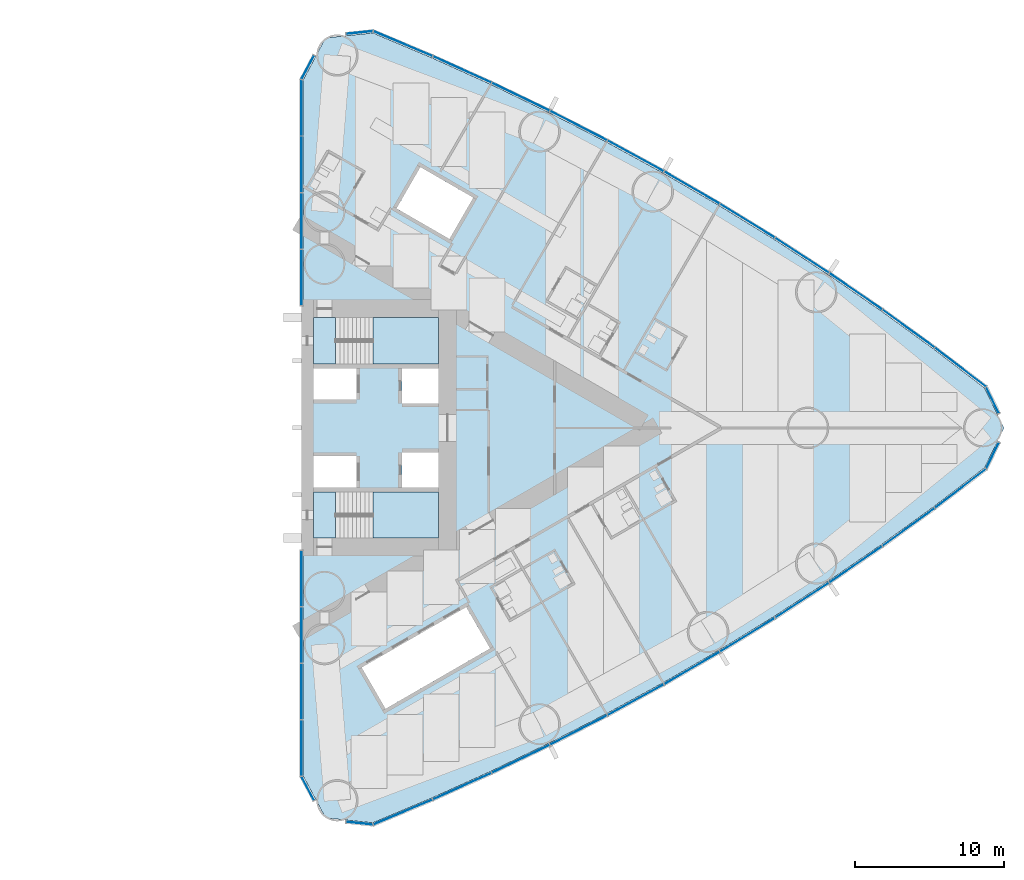
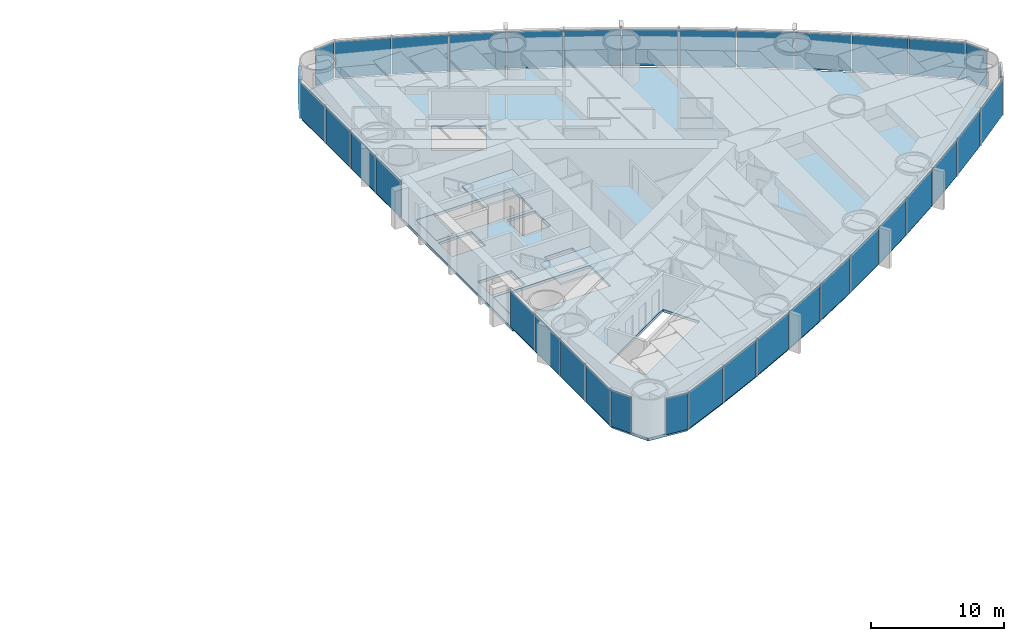
# One storey, part 10 of 19: 36 plates, 5 slabs, 6 elements without a shape of their own.
"""IFC4 building model written with IfcOpenShell, lengths in metres."""

from ifc_helpers import new_model, si_unit, direction, frame, origin, origin_2d, place, context, subcontext, project, spatial, polyline, rectangle, outline, extrude, material, layer, layer_set, type_object, element, aggregate, save


model = new_model("IFC4")

# Units and contexts
model_context = context("Model", 3, precision=1e-05, world=origin(), true_north=direction((0.0, 1.0)))
body_context = subcontext(model_context, "Body", "Model", "MODEL_VIEW")
ifc_project = project(units=[si_unit("LENGTHUNIT", "METRE"), si_unit("AREAUNIT", "SQUARE_METRE"), si_unit("VOLUMEUNIT", "CUBIC_METRE"), si_unit("PLANEANGLEUNIT", "RADIAN"), si_unit("MASSUNIT", "GRAM", prefix="KILO")], contexts=[model_context])

# Site, building, storey
site_placement = place(None, origin())
site = spatial("IfcSite", under=ifc_project, at=site_placement, CompositionType="ELEMENT")
building_placement = place(site_placement, origin())
building = spatial("IfcBuilding", under=site, at=building_placement, Name="Lancet Gate Hotel", CompositionType="ELEMENT")
storey_placement = place(building_placement, frame((0.0, 0.0, 28.5)))
storey = spatial("IfcBuildingStorey", under=building, at=storey_placement, Name="L06", CompositionType="ELEMENT", Elevation=28.5)

# Slab
ifc_material_1 = material(Name="Concrete C50/60", Category="concrete")
ifc_layer_1 = layer(ifc_material_1, 0.25)
ifc_layer_set_1 = layer_set([ifc_layer_1], Name="Floor slab 250")
slab_type_1 = type_object("IfcSlabType", Name="Floor slab 250", PredefinedType="FLOOR", material=ifc_layer_set_1)
slab_1_placement = place(storey_placement, frame((0.0, 0.0, -0.25)))
element("IfcSlab", 1, at=slab_1_placement, inside=storey, type_object=slab_type_1, Name="T2 L06 floor slab", PredefinedType="FLOOR", context=body_context, shape_type="SweptSolid", body=[
    extrude(outline(polyline([(27.5, -8.60009765625), (27.6201171875, -8.60009765625), (27.6201171875, -23.35498046875), (29.12158203125, -26.175537109375), (32.299072265625, -26.5048828125), (36.26708984375, -24.833740234375), (40.2177734375, -23.050048828125), (44.121826171875, -21.16650390625), (47.9765625, -19.18408203125), (51.77978515625, -17.104248046875), (55.528564453125, -14.92822265625), (59.220947265625, -12.657470703125), (62.854248046875, -10.29345703125), (66.42626953125, -7.837890625), (69.934814453125, -5.292236328125), (73.355712890625, -2.67431640625), (74.65576171875, 0.0), (73.355712890625, 2.67431640625), (69.934814453125, 5.292236328125), (66.42626953125, 7.837890625), (62.854248046875, 10.29345703125), (59.220947265625, 12.657470703125), (55.528564453125, 14.92822265625), (51.77978515625, 17.104248046875), (47.9765625, 19.18408203125), (44.121826171875, 21.16650390625), (40.2177734375, 23.050048828125), (36.26708984375, 24.833740234375), (32.299072265625, 26.5048828125), (29.12158203125, 26.175537109375), (27.6201171875, 23.35498046875), (27.6201171875, 8.60009765625), (27.5, 8.60009765625), (27.5, 8.199951171875), (27.5, -8.199951171875), (27.5, -8.60009765625)]), holes=[polyline([(36.699951171875, -7.39990234375), (36.699951171875, -4.300048828125), (28.300048828125, -4.300048828125), (28.300048828125, -7.39990234375), (36.699951171875, -7.39990234375)]), polyline([(28.300048828125, -4.0), (31.199951171875, -4.0), (31.199951171875, -1.89990234375), (28.300048828125, -1.89990234375), (28.300048828125, -4.0)]), polyline([(34.25, -4.0), (36.699951171875, -4.0), (36.699951171875, -1.64990234375), (34.25, -1.64990234375), (34.25, -4.0)]), polyline([(36.699951171875, 1.64990234375), (36.699951171875, 4.0), (34.25, 4.0), (34.25, 1.64990234375), (36.699951171875, 1.64990234375)]), polyline([(28.300048828125, 1.89990234375), (31.199951171875, 1.89990234375), (31.199951171875, 4.0), (28.300048828125, 4.0), (28.300048828125, 1.89990234375)]), polyline([(28.300048828125, 4.300048828125), (36.699951171875, 4.300048828125), (36.699951171875, 7.39990234375), (28.300048828125, 7.39990234375), (28.300048828125, 4.300048828125)]), polyline([(31.549072265625, -16.0810546875), (33.14892578125, -18.85205078125), (40.1640625, -14.802001953125), (38.56396484375, -12.031005859375), (31.549072265625, -16.0810546875)]), polyline([(33.887939453125, 14.73095703125), (37.43798828125, 12.680908203125), (39.0380859375, 15.451904296875), (35.488037109375, 17.501953125), (33.887939453125, 14.73095703125)])]), origin(), (0.0, 0.0, 1.0), 0.25),
])

# Stair, slabs
ifc_material_2 = material(Name="Exit stair 20 risers 1500")
stair_type = type_object("IfcStairType", Name="Exit stair 20 risers 1500", PredefinedType="HALF_TURN_STAIR", material=ifc_material_2)
stair_1_placement = place(storey_placement, origin())
stair_1 = element("IfcStair", 2, at=stair_1_placement, inside=storey, type_object=stair_type, Name="T2 stair 1 L06", PredefinedType="HALF_TURN_STAIR")
ifc_material_3 = material(Name="Concrete C40/50", Category="concrete")
ifc_layer_2 = layer(ifc_material_3, 0.199951171875)
ifc_layer_set_2 = layer_set([ifc_layer_2], Name="Stair landing 200")
slab_type_2 = type_object("IfcSlabType", Name="Stair landing 200", PredefinedType="LANDING", material=ifc_layer_set_2)
slab_2_placement = place(storey_placement, frame((0.0, 0.0, -0.199951171875)))
slab_2 = element("IfcSlab", 3, at=slab_2_placement, type_object=slab_type_2, Name="ST3 landing 1", PredefinedType="LANDING", context=body_context, shape_type="SweptSolid", body=[
    extrude(outline(polyline([(28.300048828125, -7.39990234375), (29.800048828125, -7.39990234375), (29.800048828125, -4.300048828125), (28.300048828125, -4.300048828125), (28.300048828125, -7.39990234375)])), origin(), (0.0, 0.0, 1.0), 0.199951171875),
])
slab_3_placement = place(storey_placement, frame((0.0, 0.0, 1.550048828125)))
slab_3 = element("IfcSlab", 4, at=slab_3_placement, type_object=slab_type_2, Name="ST3 landing 2", PredefinedType="LANDING", context=body_context, shape_type="SweptSolid", body=[
    extrude(outline(polyline([(32.320068359375, -7.39990234375), (36.699951171875, -7.39990234375), (36.699951171875, -4.300048828125), (32.320068359375, -4.300048828125), (32.320068359375, -7.39990234375)])), origin(), (0.0, 0.0, 1.0), 0.199951171875),
])
aggregate(stair_1, [slab_2, slab_3])

stair_2_placement = place(storey_placement, origin())
stair_2 = element("IfcStair", 5, at=stair_2_placement, inside=storey, type_object=stair_type, Name="T2 stair 2 L06", PredefinedType="HALF_TURN_STAIR")
slab_4_placement = place(storey_placement, frame((0.0, 0.0, -0.199951171875)))
slab_4 = element("IfcSlab", 6, at=slab_4_placement, type_object=slab_type_2, Name="ST4 landing 1", PredefinedType="LANDING", context=body_context, shape_type="SweptSolid", body=[
    extrude(outline(polyline([(28.300048828125, 4.300048828125), (29.800048828125, 4.300048828125), (29.800048828125, 7.39990234375), (28.300048828125, 7.39990234375), (28.300048828125, 4.300048828125)])), origin(), (0.0, 0.0, 1.0), 0.199951171875),
])
slab_5_placement = place(storey_placement, frame((0.0, 0.0, 1.550048828125)))
slab_5 = element("IfcSlab", 7, at=slab_5_placement, type_object=slab_type_2, Name="ST4 landing 2", PredefinedType="LANDING", context=body_context, shape_type="SweptSolid", body=[
    extrude(outline(polyline([(32.320068359375, 4.300048828125), (36.699951171875, 4.300048828125), (36.699951171875, 7.39990234375), (32.320068359375, 7.39990234375), (32.320068359375, 4.300048828125)])), origin(), (0.0, 0.0, 1.0), 0.199951171875),
])
aggregate(stair_2, [slab_4, slab_5])

# Curtain wall, plates
ifc_material_4 = material(Name="Aluminium curtain wall", Category="aluminium")
curtain_wall_type = type_object("IfcCurtainWallType", Name="Tower unitised curtain wall", PredefinedType="USERDEFINED", material=ifc_material_4)
curtain_wall_1_placement = place(storey_placement, origin())
curtain_wall_1 = element("IfcCurtainWall", 8, at=curtain_wall_1_placement, inside=storey, type_object=curtain_wall_type, Name="T2 L06 curtain wall 1", ObjectType="UNITISED CURTAIN WALL", PredefinedType="USERDEFINED")
ifc_material_5 = material(Name="Glass double glazed unit 8-16-6", Category="glass")
ifc_layer_3 = layer(ifc_material_5, 0.030029296875)
ifc_layer_set_3 = layer_set([ifc_layer_3], Name="Vision panel double glazed")
plate_type = type_object("IfcPlateType", Name="Vision panel double glazed", PredefinedType="CURTAIN_PANEL", material=ifc_layer_set_3)
plate_1_placement = place(storey_placement, frame((27.5, -10.09814453125, 0.0), z_axis=(0.0, 0.0, 1.0), x_axis=(0.0, -1.0, 0.0)))
plate_1 = element("IfcPlate", 9, at=plate_1_placement, type_object=plate_type, Name="T2 L06 curtain wall 1 panel 1", PredefinedType="CURTAIN_PANEL", context=body_context, shape_type="SweptSolid", body=[
    extrude(rectangle(XDim=3.731201171875, YDim=0.030029296875, at=origin_2d()), origin(), (0.0, 0.0, 1.0), 3.35009765625),
])
plate_2_placement = place(storey_placement, frame((27.5, -13.894287109375, 0.0), z_axis=(0.0, 0.0, 1.0), x_axis=(0.0, -1.0, 0.0)))
plate_2 = element("IfcPlate", 10, at=plate_2_placement, type_object=plate_type, Name="T2 L06 curtain wall 1 panel 2", PredefinedType="CURTAIN_PANEL", context=body_context, shape_type="SweptSolid", body=[
    extrude(rectangle(XDim=3.731201171875, YDim=0.030029296875, at=origin_2d()), origin(), (0.0, 0.0, 1.0), 3.35009765625),
])
plate_3_placement = place(storey_placement, frame((27.5, -17.6904296875, 0.0), z_axis=(0.0, 0.0, 1.0), x_axis=(0.0, -1.0, 0.0)))
plate_3 = element("IfcPlate", 11, at=plate_3_placement, type_object=plate_type, Name="T2 L06 curtain wall 1 panel 3", PredefinedType="CURTAIN_PANEL", context=body_context, shape_type="SweptSolid", body=[
    extrude(rectangle(XDim=3.731201171875, YDim=0.030029296875, at=origin_2d()), origin(), (0.0, 0.0, 1.0), 3.35009765625),
])
plate_4_placement = place(storey_placement, frame((27.5, -21.48681640625, 0.0), z_axis=(0.0, 0.0, 1.0), x_axis=(0.0, -1.0, 0.0)))
plate_4 = element("IfcPlate", 12, at=plate_4_placement, type_object=plate_type, Name="T2 L06 curtain wall 1 panel 4", PredefinedType="CURTAIN_PANEL", context=body_context, shape_type="SweptSolid", body=[
    extrude(rectangle(XDim=3.731201171875, YDim=0.030029296875, at=origin_2d()), origin(), (0.0, 0.0, 1.0), 3.35009765625),
])
plate_5_placement = place(storey_placement, frame((27.933349609375, -24.19873046875, 0.0), z_axis=(0.0, 0.0, 1.0), x_axis=(0.469897827284, -0.882720811987, 0.0)))
plate_5 = element("IfcPlate", 13, at=plate_5_placement, type_object=plate_type, Name="T2 L06 curtain wall 1 panel 5", PredefinedType="CURTAIN_PANEL", context=body_context, shape_type="SweptSolid", body=[
    extrude(rectangle(XDim=1.779052734375, YDim=0.030029296875, at=origin_2d()), origin(), (0.0, 0.0, 1.0), 3.35009765625),
])
aggregate(curtain_wall_1, [plate_1, plate_2, plate_3, plate_4, plate_5])

curtain_wall_2_placement = place(storey_placement, origin())
curtain_wall_2 = element("IfcCurtainWall", 14, at=curtain_wall_2_placement, inside=storey, type_object=curtain_wall_type, Name="T2 L06 curtain wall 2", ObjectType="UNITISED CURTAIN WALL", PredefinedType="USERDEFINED")
plate_6_placement = place(storey_placement, frame((31.400634765625, -26.532470703125, 0.0), z_axis=(0.0, 0.0, 1.0), x_axis=(0.994672262412, -0.10308778001, 0.0)))
plate_6 = element("IfcPlate", 15, at=plate_6_placement, type_object=plate_type, Name="T2 L06 curtain wall 2 panel 1", PredefinedType="CURTAIN_PANEL", context=body_context, shape_type="SweptSolid", body=[
    extrude(rectangle(XDim=1.7783203125, YDim=0.030029296875, at=origin_2d()), origin(), (0.0, 0.0, 1.0), 3.35009765625),
])
plate_7_placement = place(storey_placement, frame((34.316162109375, -25.78564453125, 0.0), z_axis=(0.0, 0.0, 1.0), x_axis=(0.92159330598, 0.38815689917, 0.0)))
plate_7 = element("IfcPlate", 16, at=plate_7_placement, type_object=plate_type, Name="T2 L06 curtain wall 2 panel 2", PredefinedType="CURTAIN_PANEL", context=body_context, shape_type="SweptSolid", body=[
    extrude(rectangle(XDim=4.272705078125, YDim=0.030029296875, at=origin_2d()), origin(), (0.0, 0.0, 1.0), 3.35009765625),
])
plate_8_placement = place(storey_placement, frame((38.291748046875, -24.05126953125, 0.0), z_axis=(0.0, 0.0, 1.0), x_axis=(0.911415640556, 0.41148697446, 0.0)))
plate_8 = element("IfcPlate", 17, at=plate_8_placement, type_object=plate_type, Name="T2 L06 curtain wall 2 panel 3", PredefinedType="CURTAIN_PANEL", context=body_context, shape_type="SweptSolid", body=[
    extrude(rectangle(XDim=4.272705078125, YDim=0.030029296875, at=origin_2d()), origin(), (0.0, 0.0, 1.0), 3.35009765625),
])
plate_9_placement = place(storey_placement, frame((42.221923828125, -22.21630859375, 0.0), z_axis=(0.0, 0.0, 1.0), x_axis=(0.90064748964, 0.434550456686, 0.0)))
plate_9 = element("IfcPlate", 18, at=plate_9_placement, type_object=plate_type, Name="T2 L06 curtain wall 2 panel 4", PredefinedType="CURTAIN_PANEL", context=body_context, shape_type="SweptSolid", body=[
    extrude(rectangle(XDim=4.272705078125, YDim=0.030029296875, at=origin_2d()), origin(), (0.0, 0.0, 1.0), 3.35009765625),
])
plate_10_placement = place(storey_placement, frame((46.10400390625, -20.281982421875, 0.0), z_axis=(0.0, 0.0, 1.0), x_axis=(0.889295829671, 0.457332403541, 0.0)))
plate_10 = element("IfcPlate", 19, at=plate_10_placement, type_object=plate_type, Name="T2 L06 curtain wall 2 panel 5", PredefinedType="CURTAIN_PANEL", context=body_context, shape_type="SweptSolid", body=[
    extrude(rectangle(XDim=4.272705078125, YDim=0.030029296875, at=origin_2d()), origin(), (0.0, 0.0, 1.0), 3.35009765625),
])
plate_11_placement = place(storey_placement, frame((49.935791015625, -18.249267578125, 0.0), z_axis=(0.0, 0.0, 1.0), x_axis=(0.877368015134, 0.47981805512, 0.0)))
plate_11 = element("IfcPlate", 20, at=plate_11_placement, type_object=plate_type, Name="T2 L06 curtain wall 2 panel 6", PredefinedType="CURTAIN_PANEL", context=body_context, shape_type="SweptSolid", body=[
    extrude(rectangle(XDim=4.272705078125, YDim=0.030029296875, at=origin_2d()), origin(), (0.0, 0.0, 1.0), 3.35009765625),
])
plate_12_placement = place(storey_placement, frame((53.71435546875, -16.119873046875, 0.0), z_axis=(0.0, 0.0, 1.0), x_axis=(0.864871773788, 0.501992843479, 0.0)))
plate_12 = element("IfcPlate", 21, at=plate_12_placement, type_object=plate_type, Name="T2 L06 curtain wall 2 panel 7", PredefinedType="CURTAIN_PANEL", context=body_context, shape_type="SweptSolid", body=[
    extrude(rectangle(XDim=4.272705078125, YDim=0.030029296875, at=origin_2d()), origin(), (0.0, 0.0, 1.0), 3.35009765625),
])
plate_13_placement = place(storey_placement, frame((57.437744140625, -13.89501953125, 0.0), z_axis=(0.0, 0.0, 1.0), x_axis=(0.851815201664, 0.523842402077, 0.0)))
plate_13 = element("IfcPlate", 22, at=plate_13_placement, type_object=plate_type, Name="T2 L06 curtain wall 2 panel 8", PredefinedType="CURTAIN_PANEL", context=body_context, shape_type="SweptSolid", body=[
    extrude(rectangle(XDim=4.272705078125, YDim=0.030029296875, at=origin_2d()), origin(), (0.0, 0.0, 1.0), 3.35009765625),
])
plate_14_placement = place(storey_placement, frame((61.10302734375, -11.576171875, 0.0), z_axis=(0.0, 0.0, 1.0), x_axis=(0.838206757819, 0.54535257508, 0.0)))
plate_14 = element("IfcPlate", 23, at=plate_14_placement, type_object=plate_type, Name="T2 L06 curtain wall 2 panel 9", PredefinedType="CURTAIN_PANEL", context=body_context, shape_type="SweptSolid", body=[
    extrude(rectangle(XDim=4.272705078125, YDim=0.030029296875, at=origin_2d()), origin(), (0.0, 0.0, 1.0), 3.35009765625),
])
plate_15_placement = place(storey_placement, frame((64.708251953125, -9.16455078125, 0.0), z_axis=(0.0, 0.0, 1.0), x_axis=(0.824055258853, 0.566509426538, 0.0)))
plate_15 = element("IfcPlate", 24, at=plate_15_placement, type_object=plate_type, Name="T2 L06 curtain wall 2 panel 10", PredefinedType="CURTAIN_PANEL", context=body_context, shape_type="SweptSolid", body=[
    extrude(rectangle(XDim=4.272705078125, YDim=0.030029296875, at=origin_2d()), origin(), (0.0, 0.0, 1.0), 3.35009765625),
])
plate_16_placement = place(storey_placement, frame((68.2509765625, -6.662109375, 0.0), z_axis=(0.0, 0.0, 1.0), x_axis=(0.809369873203, 0.587299249405, 0.0)))
plate_16 = element("IfcPlate", 25, at=plate_16_placement, type_object=plate_type, Name="T2 L06 curtain wall 2 panel 11", PredefinedType="CURTAIN_PANEL", context=body_context, shape_type="SweptSolid", body=[
    extrude(rectangle(XDim=4.272705078125, YDim=0.030029296875, at=origin_2d()), origin(), (0.0, 0.0, 1.0), 3.35009765625),
])
plate_17_placement = place(storey_placement, frame((71.72900390625, -4.0703125, 0.0), z_axis=(0.0, 0.0, 1.0), x_axis=(0.794160115195, 0.607708574428, 0.0)))
plate_17 = element("IfcPlate", 26, at=plate_17_placement, type_object=plate_type, Name="T2 L06 curtain wall 2 panel 12", PredefinedType="CURTAIN_PANEL", context=body_context, shape_type="SweptSolid", body=[
    extrude(rectangle(XDim=4.272705078125, YDim=0.030029296875, at=origin_2d()), origin(), (0.0, 0.0, 1.0), 3.35009765625),
])
plate_18_placement = place(storey_placement, frame((73.88671875, -1.856201171875, 0.0), z_axis=(0.0, 0.0, 1.0), x_axis=(0.437169070119, 0.899379343843, 0.0)))
plate_18 = element("IfcPlate", 27, at=plate_18_placement, type_object=plate_type, Name="T2 L06 curtain wall 2 panel 13", PredefinedType="CURTAIN_PANEL", context=body_context, shape_type="SweptSolid", body=[
    extrude(rectangle(XDim=1.92724609375, YDim=0.030029296875, at=origin_2d()), origin(), (0.0, 0.0, 1.0), 3.35009765625),
])
aggregate(curtain_wall_2, [plate_6, plate_7, plate_8, plate_9, plate_10, plate_11, plate_12, plate_13, plate_14, plate_15, plate_16, plate_17, plate_18])

curtain_wall_3_placement = place(storey_placement, origin())
curtain_wall_3 = element("IfcCurtainWall", 28, at=curtain_wall_3_placement, inside=storey, type_object=curtain_wall_type, Name="T2 L06 curtain wall 3", ObjectType="UNITISED CURTAIN WALL", PredefinedType="USERDEFINED")
plate_19_placement = place(storey_placement, frame((73.88671875, 1.856201171875, 0.0), z_axis=(0.0, 0.0, 1.0), x_axis=(-0.437169070119, 0.899379343843, 0.0)))
plate_19 = element("IfcPlate", 29, at=plate_19_placement, type_object=plate_type, Name="T2 L06 curtain wall 3 panel 1", PredefinedType="CURTAIN_PANEL", context=body_context, shape_type="SweptSolid", body=[
    extrude(rectangle(XDim=1.92724609375, YDim=0.030029296875, at=origin_2d()), origin(), (0.0, 0.0, 1.0), 3.35009765625),
])
plate_20_placement = place(storey_placement, frame((71.72900390625, 4.0703125, 0.0), z_axis=(0.0, 0.0, 1.0), x_axis=(-0.794160115195, 0.607708574428, 0.0)))
plate_20 = element("IfcPlate", 30, at=plate_20_placement, type_object=plate_type, Name="T2 L06 curtain wall 3 panel 2", PredefinedType="CURTAIN_PANEL", context=body_context, shape_type="SweptSolid", body=[
    extrude(rectangle(XDim=4.272705078125, YDim=0.030029296875, at=origin_2d()), origin(), (0.0, 0.0, 1.0), 3.35009765625),
])
plate_21_placement = place(storey_placement, frame((68.2509765625, 6.662109375, 0.0), z_axis=(0.0, 0.0, 1.0), x_axis=(-0.809369873203, 0.587299249405, 0.0)))
plate_21 = element("IfcPlate", 31, at=plate_21_placement, type_object=plate_type, Name="T2 L06 curtain wall 3 panel 3", PredefinedType="CURTAIN_PANEL", context=body_context, shape_type="SweptSolid", body=[
    extrude(rectangle(XDim=4.272705078125, YDim=0.030029296875, at=origin_2d()), origin(), (0.0, 0.0, 1.0), 3.35009765625),
])
plate_22_placement = place(storey_placement, frame((64.708251953125, 9.16455078125, 0.0), z_axis=(0.0, 0.0, 1.0), x_axis=(-0.824055258853, 0.566509426538, 0.0)))
plate_22 = element("IfcPlate", 32, at=plate_22_placement, type_object=plate_type, Name="T2 L06 curtain wall 3 panel 4", PredefinedType="CURTAIN_PANEL", context=body_context, shape_type="SweptSolid", body=[
    extrude(rectangle(XDim=4.272705078125, YDim=0.030029296875, at=origin_2d()), origin(), (0.0, 0.0, 1.0), 3.35009765625),
])
plate_23_placement = place(storey_placement, frame((61.10302734375, 11.576171875, 0.0), z_axis=(0.0, 0.0, 1.0), x_axis=(-0.838206757819, 0.54535257508, 0.0)))
plate_23 = element("IfcPlate", 33, at=plate_23_placement, type_object=plate_type, Name="T2 L06 curtain wall 3 panel 5", PredefinedType="CURTAIN_PANEL", context=body_context, shape_type="SweptSolid", body=[
    extrude(rectangle(XDim=4.272705078125, YDim=0.030029296875, at=origin_2d()), origin(), (0.0, 0.0, 1.0), 3.35009765625),
])
plate_24_placement = place(storey_placement, frame((57.437744140625, 13.89501953125, 0.0), z_axis=(0.0, 0.0, 1.0), x_axis=(-0.851815201664, 0.523842402077, 0.0)))
plate_24 = element("IfcPlate", 34, at=plate_24_placement, type_object=plate_type, Name="T2 L06 curtain wall 3 panel 6", PredefinedType="CURTAIN_PANEL", context=body_context, shape_type="SweptSolid", body=[
    extrude(rectangle(XDim=4.272705078125, YDim=0.030029296875, at=origin_2d()), origin(), (0.0, 0.0, 1.0), 3.35009765625),
])
plate_25_placement = place(storey_placement, frame((53.71435546875, 16.119873046875, 0.0), z_axis=(0.0, 0.0, 1.0), x_axis=(-0.864871773788, 0.501992843479, 0.0)))
plate_25 = element("IfcPlate", 35, at=plate_25_placement, type_object=plate_type, Name="T2 L06 curtain wall 3 panel 7", PredefinedType="CURTAIN_PANEL", context=body_context, shape_type="SweptSolid", body=[
    extrude(rectangle(XDim=4.272705078125, YDim=0.030029296875, at=origin_2d()), origin(), (0.0, 0.0, 1.0), 3.35009765625),
])
plate_26_placement = place(storey_placement, frame((49.935791015625, 18.249267578125, 0.0), z_axis=(0.0, 0.0, 1.0), x_axis=(-0.877368015134, 0.47981805512, 0.0)))
plate_26 = element("IfcPlate", 36, at=plate_26_placement, type_object=plate_type, Name="T2 L06 curtain wall 3 panel 8", PredefinedType="CURTAIN_PANEL", context=body_context, shape_type="SweptSolid", body=[
    extrude(rectangle(XDim=4.272705078125, YDim=0.030029296875, at=origin_2d()), origin(), (0.0, 0.0, 1.0), 3.35009765625),
])
plate_27_placement = place(storey_placement, frame((46.10400390625, 20.281982421875, 0.0), z_axis=(0.0, 0.0, 1.0), x_axis=(-0.889295829671, 0.457332403541, 0.0)))
plate_27 = element("IfcPlate", 37, at=plate_27_placement, type_object=plate_type, Name="T2 L06 curtain wall 3 panel 9", PredefinedType="CURTAIN_PANEL", context=body_context, shape_type="SweptSolid", body=[
    extrude(rectangle(XDim=4.272705078125, YDim=0.030029296875, at=origin_2d()), origin(), (0.0, 0.0, 1.0), 3.35009765625),
])
plate_28_placement = place(storey_placement, frame((42.221923828125, 22.21630859375, 0.0), z_axis=(0.0, 0.0, 1.0), x_axis=(-0.90064748964, 0.434550456686, 0.0)))
plate_28 = element("IfcPlate", 38, at=plate_28_placement, type_object=plate_type, Name="T2 L06 curtain wall 3 panel 10", PredefinedType="CURTAIN_PANEL", context=body_context, shape_type="SweptSolid", body=[
    extrude(rectangle(XDim=4.272705078125, YDim=0.030029296875, at=origin_2d()), origin(), (0.0, 0.0, 1.0), 3.35009765625),
])
plate_29_placement = place(storey_placement, frame((38.291748046875, 24.05126953125, 0.0), z_axis=(0.0, 0.0, 1.0), x_axis=(-0.911415640556, 0.41148697446, 0.0)))
plate_29 = element("IfcPlate", 39, at=plate_29_placement, type_object=plate_type, Name="T2 L06 curtain wall 3 panel 11", PredefinedType="CURTAIN_PANEL", context=body_context, shape_type="SweptSolid", body=[
    extrude(rectangle(XDim=4.272705078125, YDim=0.030029296875, at=origin_2d()), origin(), (0.0, 0.0, 1.0), 3.35009765625),
])
plate_30_placement = place(storey_placement, frame((34.316162109375, 25.78564453125, 0.0), z_axis=(0.0, 0.0, 1.0), x_axis=(-0.92159330598, 0.38815689917, 0.0)))
plate_30 = element("IfcPlate", 40, at=plate_30_placement, type_object=plate_type, Name="T2 L06 curtain wall 3 panel 12", PredefinedType="CURTAIN_PANEL", context=body_context, shape_type="SweptSolid", body=[
    extrude(rectangle(XDim=4.272705078125, YDim=0.030029296875, at=origin_2d()), origin(), (0.0, 0.0, 1.0), 3.35009765625),
])
plate_31_placement = place(storey_placement, frame((31.400634765625, 26.532470703125, 0.0), z_axis=(0.0, 0.0, 1.0), x_axis=(-0.994672262412, -0.10308778001, 0.0)))
plate_31 = element("IfcPlate", 41, at=plate_31_placement, type_object=plate_type, Name="T2 L06 curtain wall 3 panel 13", PredefinedType="CURTAIN_PANEL", context=body_context, shape_type="SweptSolid", body=[
    extrude(rectangle(XDim=1.7783203125, YDim=0.030029296875, at=origin_2d()), origin(), (0.0, 0.0, 1.0), 3.35009765625),
])
aggregate(curtain_wall_3, [plate_19, plate_20, plate_21, plate_22, plate_23, plate_24, plate_25, plate_26, plate_27, plate_28, plate_29, plate_30, plate_31])

curtain_wall_4_placement = place(storey_placement, origin())
curtain_wall_4 = element("IfcCurtainWall", 42, at=curtain_wall_4_placement, inside=storey, type_object=curtain_wall_type, Name="T2 L06 curtain wall 4", ObjectType="UNITISED CURTAIN WALL", PredefinedType="USERDEFINED")
plate_32_placement = place(storey_placement, frame((27.933349609375, 24.19873046875, 0.0), z_axis=(0.0, 0.0, 1.0), x_axis=(-0.469897827284, -0.882720811987, 0.0)))
plate_32 = element("IfcPlate", 43, at=plate_32_placement, type_object=plate_type, Name="T2 L06 curtain wall 4 panel 1", PredefinedType="CURTAIN_PANEL", context=body_context, shape_type="SweptSolid", body=[
    extrude(rectangle(XDim=1.779052734375, YDim=0.030029296875, at=origin_2d()), origin(), (0.0, 0.0, 1.0), 3.35009765625),
])
plate_33_placement = place(storey_placement, frame((27.5, 21.48681640625, 0.0), z_axis=(0.0, 0.0, 1.0), x_axis=(0.0, -1.0, 0.0)))
plate_33 = element("IfcPlate", 44, at=plate_33_placement, type_object=plate_type, Name="T2 L06 curtain wall 4 panel 2", PredefinedType="CURTAIN_PANEL", context=body_context, shape_type="SweptSolid", body=[
    extrude(rectangle(XDim=3.731201171875, YDim=0.030029296875, at=origin_2d()), origin(), (0.0, 0.0, 1.0), 3.35009765625),
])
plate_34_placement = place(storey_placement, frame((27.5, 17.6904296875, 0.0), z_axis=(0.0, 0.0, 1.0), x_axis=(0.0, -1.0, 0.0)))
plate_34 = element("IfcPlate", 45, at=plate_34_placement, type_object=plate_type, Name="T2 L06 curtain wall 4 panel 3", PredefinedType="CURTAIN_PANEL", context=body_context, shape_type="SweptSolid", body=[
    extrude(rectangle(XDim=3.731201171875, YDim=0.030029296875, at=origin_2d()), origin(), (0.0, 0.0, 1.0), 3.35009765625),
])
plate_35_placement = place(storey_placement, frame((27.5, 13.894287109375, 0.0), z_axis=(0.0, 0.0, 1.0), x_axis=(0.0, -1.0, 0.0)))
plate_35 = element("IfcPlate", 46, at=plate_35_placement, type_object=plate_type, Name="T2 L06 curtain wall 4 panel 4", PredefinedType="CURTAIN_PANEL", context=body_context, shape_type="SweptSolid", body=[
    extrude(rectangle(XDim=3.731201171875, YDim=0.030029296875, at=origin_2d()), origin(), (0.0, 0.0, 1.0), 3.35009765625),
])
plate_36_placement = place(storey_placement, frame((27.5, 10.09814453125, 0.0), z_axis=(0.0, 0.0, 1.0), x_axis=(0.0, -1.0, 0.0)))
plate_36 = element("IfcPlate", 47, at=plate_36_placement, type_object=plate_type, Name="T2 L06 curtain wall 4 panel 5", PredefinedType="CURTAIN_PANEL", context=body_context, shape_type="SweptSolid", body=[
    extrude(rectangle(XDim=3.731201171875, YDim=0.030029296875, at=origin_2d()), origin(), (0.0, 0.0, 1.0), 3.35009765625),
])
aggregate(curtain_wall_4, [plate_32, plate_33, plate_34, plate_35, plate_36])

save(model, "model.ifc")
